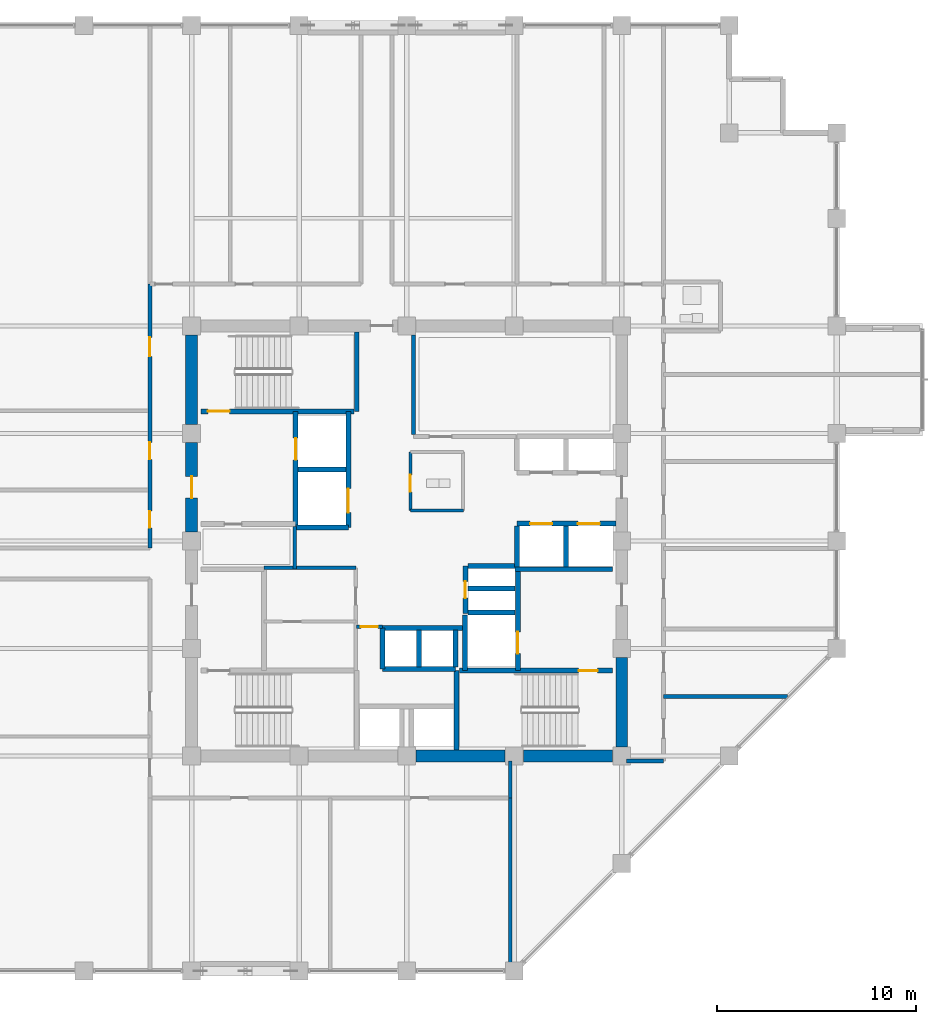
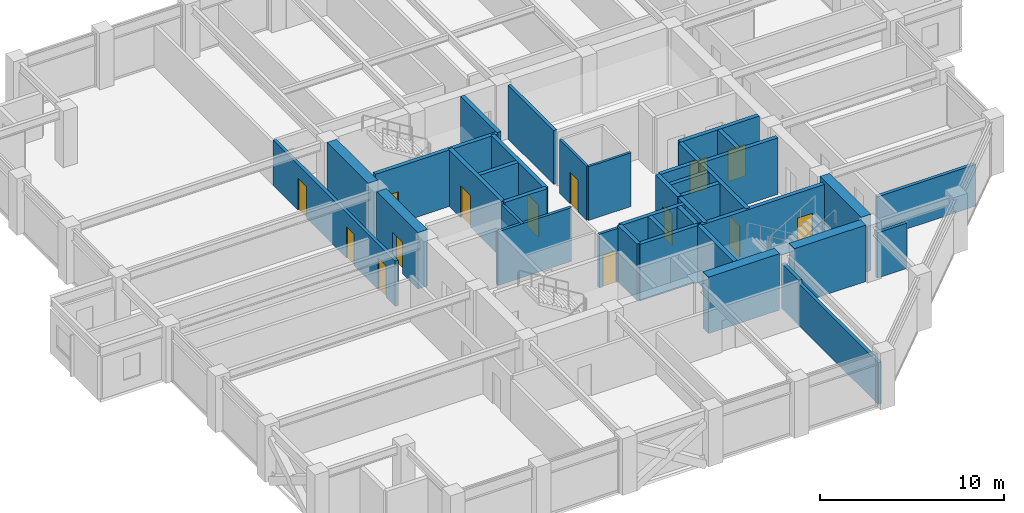
# One storey, part 23 of 28: 39 walls, 14 doors, 14 openings.
"""IFC4 building model written with IfcOpenShell, lengths in metres."""

import ifcopenshell
import ifcopenshell.guid

model = None  # the IFC model being written
_history = None  # IfcOwnerHistory: only IFC2X3 demands one
_inside = {}  # id of a spatial element -> (the spatial element, [elements in it])
_under = {}  # id of a project, library or spatial element -> (it, [spatial elements below it])
_declared = {}  # id of a project -> (the project, [libraries it declares])
_typed = {}  # id of a type object -> (the type object, [elements of that type])
_made_of = {}  # id of a material, layer set ... -> (it, [elements and type objects made of it])


def new_model(schema):
    """Start an empty IFC model of exactly this schema.

    Asked for "IFC4X3", IfcOpenShell would pick the latest addendum, in which some entities
    have other attributes; the version numbers below select the first issue.
    IFC2X3 requires an IfcOwnerHistory on every rooted entity: one is made here for all.
    """
    global model, _history
    if schema == "IFC4X3":
        model = ifcopenshell.file(schema_version=(4, 3, 0, 0))
    else:
        model = ifcopenshell.file(schema=schema)
    _inside.clear()
    _under.clear()
    _declared.clear()
    _typed.clear()
    _made_of.clear()
    _history = None
    if model.schema == "IFC2X3":
        org = make("IfcOrganization", Name="unknown")
        user = make(
            "IfcPersonAndOrganization",
            ThePerson=make("IfcPerson", FamilyName="unknown"),
            TheOrganization=org,
        )
        app = make(
            "IfcApplication",
            ApplicationDeveloper=org,
            Version="unknown",
            ApplicationFullName="unknown",
            ApplicationIdentifier="unknown",
        )
        _history = make(
            "IfcOwnerHistory",
            OwningUser=user,
            OwningApplication=app,
            ChangeAction="ADDED",
            CreationDate=0,
        )
    return model


def make(cls, **values):
    """One entity of the class cls with the attributes given. An attribute that is None is left unset."""
    return model.create_entity(
        cls, **{name: value for name, value in values.items() if value is not None}
    )


def rooted(cls, **values):
    """An entity with a GlobalId (a new one), such as an element, a storey or a relation."""
    return make(cls, GlobalId=ifcopenshell.guid.new(), OwnerHistory=_history, **values)


def si_unit(unit_type, name, prefix=None):
    """IfcSIUnit, for example si_unit("LENGTHUNIT", "METRE", prefix="MILLI")."""
    return make("IfcSIUnit", UnitType=unit_type, Prefix=prefix, Name=name)


def assignment(units):
    """IfcUnitAssignment: the units of a project."""
    return None if units is None else make("IfcUnitAssignment", Units=units)


def point(xyz):
    """IfcCartesianPoint."""
    return None if xyz is None else make("IfcCartesianPoint", Coordinates=xyz)


def direction(xyz):
    """IfcDirection."""
    return None if xyz is None else make("IfcDirection", DirectionRatios=xyz)


def frame(location, z_axis=None, x_axis=None):
    """IfcAxis2Placement3D, a coordinate frame: its origin and axes. An axis left out is left unset."""
    return make(
        "IfcAxis2Placement3D",
        Location=point(location),
        Axis=direction(z_axis),
        RefDirection=direction(x_axis),
    )


def frame_2d(location, x_axis=None):
    """IfcAxis2Placement2D, a coordinate frame in the plane: its origin and x axis."""
    return make(
        "IfcAxis2Placement2D", Location=point(location), RefDirection=direction(x_axis)
    )


def origin():
    """The frame at (0, 0, 0) with its axes left unset."""
    return frame((0.0, 0.0, 0.0))


def place(relative_to, where):
    """IfcLocalPlacement: puts the frame where relative to a parent placement (None: the world)."""
    return make(
        "IfcLocalPlacement", PlacementRelTo=relative_to, RelativePlacement=where
    )


def context(
    kind, dimensions, precision=None, world=None, true_north=None, identifier=None
):
    """IfcGeometricRepresentationContext, for example the 3D "Model" context."""
    return make(
        "IfcGeometricRepresentationContext",
        ContextIdentifier=identifier,
        ContextType=kind,
        CoordinateSpaceDimension=dimensions,
        Precision=precision,
        WorldCoordinateSystem=world,
        TrueNorth=true_north,
    )


def subcontext(parent, identifier, kind, view, scale=None):
    """IfcGeometricRepresentationSubContext, for example "Body" below "Model"."""
    return make(
        "IfcGeometricRepresentationSubContext",
        ContextIdentifier=identifier,
        ContextType=kind,
        ParentContext=parent,
        TargetScale=scale,
        TargetView=view,
    )


def project(units=None, contexts=None):
    """IfcProject with its units and contexts."""
    return rooted(
        "IfcProject",
        Name="project",
        RepresentationContexts=contexts,
        UnitsInContext=assignment(units),
    )


def spatial(cls, under=None, at=None, **own):
    """A site, building, storey or space (cls), placed at a placement, below another one or the project."""
    s = rooted(cls, ObjectPlacement=at, **own)
    if under is not None:
        _under.setdefault(under.id(), (under, []))[1].append(s)
    return s


def profile(cls, at=None, kind="AREA", **sizes):
    """A parametric profile (cls). Its sizes go by their IFC names, for example OverallWidth=200.0."""
    return make(cls, ProfileType=kind, Position=at, **sizes)


def rectangle(**sizes):
    """IfcRectangleProfileDef."""
    return profile("IfcRectangleProfileDef", **sizes)


def extrude(swept, where, along, depth):
    """IfcExtrudedAreaSolid: the profile swept, set in the frame where, extruded along a direction by depth."""
    return make(
        "IfcExtrudedAreaSolid",
        SweptArea=swept,
        Position=where,
        ExtrudedDirection=direction(along),
        Depth=depth,
    )


def shape(context_of_items, identifier, shape_type, items):
    """IfcShapeRepresentation: the items that make up one representation, for example the "Body"."""
    return make(
        "IfcShapeRepresentation",
        ContextOfItems=context_of_items,
        RepresentationIdentifier=identifier,
        RepresentationType=shape_type,
        Items=items,
    )


def material(Name=None, Category=None):
    """IfcMaterial."""
    return make("IfcMaterial", Name=Name, Category=Category)


def layer(
    of_material, thickness, ventilated=None, Name=None, Category=None, Priority=None
):
    """IfcMaterialLayer: one layer of a wall or slab, of a material (None: an air gap)."""
    return make(
        "IfcMaterialLayer",
        Material=of_material,
        LayerThickness=thickness,
        IsVentilated=ventilated,
        Name=Name,
        Category=Category,
        Priority=Priority,
    )


def layer_set(layers, Name=None):
    """IfcMaterialLayerSet."""
    return make("IfcMaterialLayerSet", MaterialLayers=layers, LayerSetName=Name)


def made_of(thing, what):
    """Note that an element or type object is made of a material, layer set ...; save() writes the relation."""
    if what is not None:
        _made_of.setdefault(what.id(), (what, []))[1].append(thing)
    return thing


def type_object(cls, material=None, **own):
    """A type object (cls), such as IfcWallType, which elements share."""
    return made_of(rooted(cls, **own), material)


def element(
    cls,
    number,
    at=None,
    inside=None,
    cuts=None,
    type_object=None,
    material=None,
    context=None,
    identifier="Body",
    shape_type=None,
    held_by="IfcProductDefinitionShape",
    body=None,
    shapes=None,
    **own,
):
    """One element of the class cls, such as IfcWall. Its Tag is "e" and its number.

    at: its placement. inside: the storey or other place that contains it. cuts: it is an
    opening in that element (IfcRelVoidsElement). A single representation is given by context,
    identifier, shape_type and body (its items); several are given by shapes. held_by: the class
    of the entity that holds the representations. save() writes the other relations.
    """
    e = rooted(cls, Tag="e%d" % number, ObjectPlacement=at, **own)
    if body is not None:
        shapes = [shape(context, identifier, shape_type, body)]
    if shapes is not None:
        e.Representation = make(held_by, Representations=shapes)
    if inside is not None:
        _inside.setdefault(inside.id(), (inside, []))[1].append(e)
    if cuts is not None:
        rooted(
            "IfcRelVoidsElement", RelatingBuildingElement=cuts, RelatedOpeningElement=e
        )
    if type_object is not None:
        _typed.setdefault(type_object.id(), (type_object, []))[1].append(e)
    return made_of(e, material)


def fill(opening, filler):
    """IfcRelFillsElement: the door or window that sits in an opening."""
    return rooted(
        "IfcRelFillsElement",
        RelatingOpeningElement=opening,
        RelatedBuildingElement=filler,
    )


def aggregate(whole, parts):
    """IfcRelAggregates: a whole, such as a stair, and the parts it consists of."""
    return rooted("IfcRelAggregates", RelatingObject=whole, RelatedObjects=parts)


def save(model, path):
    """Write the relations noted so far, then the file.

    IfcRelAggregates (storeys below a building ...), IfcRelContainedInSpatialStructure (elements
    in a storey), IfcRelDefinesByType, IfcRelAssociatesMaterial and IfcRelDeclares: one each for
    every whole, place, type object, material and project.
    """
    for whole, parts in _under.values():
        aggregate(whole, parts)
    for where, things in _inside.values():
        rooted(
            "IfcRelContainedInSpatialStructure",
            RelatedElements=things,
            RelatingStructure=where,
        )
    for kind, things in _typed.values():
        rooted("IfcRelDefinesByType", RelatedObjects=things, RelatingType=kind)
    for what, things in _made_of.values():
        rooted("IfcRelAssociatesMaterial", RelatedObjects=things, RelatingMaterial=what)
    for by, libraries in _declared.values():
        rooted("IfcRelDeclares", RelatingContext=by, RelatedDefinitions=libraries)
    model.write(path)


model = new_model("IFC4")

# Units and contexts
model_context = context("Model", 3, precision=1e-05, world=origin(), true_north=direction((0.0, 1.0)))
body_context = subcontext(model_context, "Body", "Model", "MODEL_VIEW")
ifc_project = project(units=[si_unit("LENGTHUNIT", "METRE"), si_unit("AREAUNIT", "SQUARE_METRE"), si_unit("VOLUMEUNIT", "CUBIC_METRE"), si_unit("PLANEANGLEUNIT", "RADIAN"), si_unit("MASSUNIT", "GRAM", prefix="KILO")], contexts=[model_context])

# Site, building, storey
site_placement = place(None, origin())
site = spatial("IfcSite", under=ifc_project, at=site_placement, CompositionType="ELEMENT")
building_placement = place(site_placement, origin())
building = spatial("IfcBuilding", under=site, at=building_placement, Name="Surkhivell Harbour Commons", CompositionType="ELEMENT")
storey_placement = place(building_placement, frame((0.0, 0.0, 178.5)))
storey = spatial("IfcBuildingStorey", under=building, at=storey_placement, Name="L46", CompositionType="ELEMENT", Elevation=178.5)

# Walls
ifc_material_1 = material(Name="Concrete C60/75", Category="concrete")
ifc_layer_1 = layer(ifc_material_1, 0.60009765625)
ifc_layer_set_1 = layer_set([ifc_layer_1], Name="Concrete C60/75")
wall_type_1 = type_object("IfcWallType", Name="WAL-CORE-600", PredefinedType="SHEAR", material=ifc_layer_set_1)
for number, where, z_axis, x_axis, name in (
    (1, (10.800048828125, -10.340087890625, 0.0), (0.0, 0.0, 1.0), (0.0, 1.0, 0.0), "L46 Core Shear Wall East 1"),
    (2, (0.4599609375, -10.800048828125, 0.0), (0.0, 0.0, 1.0), (1.0, 0.0, 0.0), "L46 Core Shear Wall South 3"),
):
    element("IfcWall", number, at=place(storey_placement, frame(where, z_axis=z_axis, x_axis=x_axis)), inside=storey, type_object=wall_type_1, Name=name, PredefinedType="SHEAR", context=body_context, shape_type="SweptSolid", body=[
        extrude(rectangle(XDim=4.47998046875, YDim=0.60009765625, at=frame_2d((2.239990234375, 0.0))), origin(), (0.0, 0.0, 1.0), 3.75),
    ])

# Wall, opening, door
wall_1_placement = place(storey_placement, frame((-10.800048828125, 0.4599609375, 0.0), z_axis=(0.0, 0.0, 1.0), x_axis=(0.0, 1.0, 0.0)))
wall_1 = element("IfcWall", 3, at=wall_1_placement, inside=storey, type_object=wall_type_1, Name="L46 Core Shear Wall West 3", PredefinedType="SHEAR", context=body_context, shape_type="SweptSolid", body=[
    extrude(rectangle(XDim=4.47998046875, YDim=0.60009765625, at=frame_2d((2.239990234375, 0.0))), origin(), (0.0, 0.0, 1.0), 3.75),
])
opening_1_placement = place(wall_1_placement, frame((1.68994140625, 0.0, 0.0)))
opening_1 = element("IfcOpeningElement", 4, at=opening_1_placement, cuts=wall_1, Name="Opening ID-1", PredefinedType="OPENING", context=body_context, shape_type="SweptSolid", body=[
    extrude(rectangle(XDim=1.10009765625, YDim=2.10009765625, at=frame_2d((0.550048828125, 1.050048828125))), frame((0.0, 0.31005859375, 0.0), z_axis=(0.0, -1.0, 0.0), x_axis=(1.0, 0.0, 0.0)), (0.0, 0.0, 1.0), 0.6201171875),
])
ifc_material_2 = material(Name="Hardwood-veneered fire-rated door leaf", Category="wood")
door_type_1 = type_object("IfcDoorType", Name="DOR-FD120-1100", OperationType="NOTDEFINED", PredefinedType="DOOR", material=ifc_material_2)
door_1_placement = place(opening_1_placement, origin())
door_1 = element("IfcDoor", 5, at=door_1_placement, inside=storey, type_object=door_type_1, Name="L46 Firefighting Lobby 1 Corridor Door", OperationType="SINGLE_SWING_LEFT", OverallHeight=2.10009765625, OverallWidth=1.10009765625, PredefinedType="DOOR", context=body_context, shape_type="SweptSolid", body=[
    extrude(rectangle(XDim=1.10009765625, YDim=2.10009765625, at=frame_2d((0.550048828125, 1.050048828125))), frame((0.0, 0.02490234375, 0.0), z_axis=(0.0, -1.0, 0.0), x_axis=(1.0, 0.0, 0.0)), (0.0, 0.0, 1.0), 0.050048828125),
])
fill(opening_1, door_1)

# Walls
for number, where, z_axis, x_axis, name in (
    (6, (5.860107421875, -10.800048828125, 0.0), (0.0, 0.0, 1.0), (1.0, 0.0, 0.0), "L46 Core Shear Wall South 4"),
    (7, (-10.800048828125, 5.860107421875, 0.0), (0.0, 0.0, 1.0), (0.0, 1.0, 0.0), "L46 Core Shear Wall West 4"),
):
    element("IfcWall", number, at=place(storey_placement, frame(where, z_axis=z_axis, x_axis=x_axis)), inside=storey, type_object=wall_type_1, Name=name, PredefinedType="SHEAR", context=body_context, shape_type="SweptSolid", body=[
        extrude(rectangle(XDim=4.47998046875, YDim=0.60009765625, at=frame_2d((2.239990234375, 0.0))), origin(), (0.0, 0.0, 1.0), 3.75),
    ])
ifc_material_3 = material(Name="Twin-stud acoustic fireboard partition", Category="other")
ifc_layer_2 = layer(ifc_material_3, 0.14990234375)
ifc_layer_set_2 = layer_set([ifc_layer_2], Name="Twin-stud acoustic fireboard partition")
wall_type_2 = type_object("IfcWallType", Name="WAL-INT-150", PredefinedType="PARTITIONING", material=ifc_layer_set_2)
wall_2_placement = place(storey_placement, frame((0.179931640625, 1.52001953125, 0.0), z_axis=(0.0, 0.0, 1.0), x_axis=(1.0, 0.0, 0.0)))
element("IfcWall", 8, at=wall_2_placement, inside=storey, type_object=wall_type_2, Name="L46 Core Accessible WC South Wall", PredefinedType="PARTITIONING", context=body_context, shape_type="SweptSolid", body=[
    extrude(rectangle(XDim=2.670166015625, YDim=0.14990234375, at=frame_2d((1.3349609375, 0.0))), origin(), (0.0, 0.0, 1.0), 3.570068359375),
])

# Wall, opening, door
wall_3_placement = place(storey_placement, frame((0.179931640625, 1.52001953125, 0.0), z_axis=(0.0, 0.0, 1.0), x_axis=(0.0, 1.0, 0.0)))
wall_3 = element("IfcWall", 9, at=wall_3_placement, inside=storey, type_object=wall_type_2, Name="L46 Core Accessible WC West Wall", PredefinedType="PARTITIONING", context=body_context, shape_type="SweptSolid", body=[
    extrude(rectangle(XDim=2.9599609375, YDim=0.14990234375, at=frame_2d((1.47998046875, 0.0))), origin(), (0.0, 0.0, 1.0), 3.570068359375),
])
opening_2_placement = place(wall_3_placement, frame((0.949951171875, 0.0, 0.0)))
opening_2 = element("IfcOpeningElement", 10, at=opening_2_placement, cuts=wall_3, Name="Opening ID-6", PredefinedType="OPENING", context=body_context, shape_type="SweptSolid", body=[
    extrude(rectangle(XDim=0.85009765625, YDim=2.10009765625, at=frame_2d((0.425048828125, 1.050048828125))), frame((0.0, 0.0849609375, 0.0), z_axis=(0.0, -1.0, 0.0), x_axis=(1.0, 0.0, 0.0)), (0.0, 0.0, 1.0), 0.169921875),
])
door_type_2 = type_object("IfcDoorType", Name="DOR-FD30-850", OperationType="NOTDEFINED", PredefinedType="DOOR", material=ifc_material_2)
door_2_placement = place(opening_2_placement, origin())
door_2 = element("IfcDoor", 11, at=door_2_placement, inside=storey, type_object=door_type_2, Name="L46 Floor Accessible WC Door", OperationType="SINGLE_SWING_RIGHT", OverallHeight=2.10009765625, OverallWidth=0.85009765625, PredefinedType="DOOR", context=body_context, shape_type="SweptSolid", body=[
    extrude(rectangle(XDim=0.85009765625, YDim=2.10009765625, at=frame_2d((0.425048828125, 1.050048828125))), frame((0.0, 0.02490234375, 0.0), z_axis=(0.0, -1.0, 0.0), x_axis=(1.0, 0.0, 0.0)), (0.0, 0.0, 1.0), 0.050048828125),
])
fill(opening_2, door_2)

# Walls
ifc_material_4 = material(Name="High-density acoustic blockwork fire partition", Category="masonry")
ifc_layer_3 = layer(ifc_material_4, 0.175048828125)
ifc_layer_set_3 = layer_set([ifc_layer_3], Name="High-density acoustic blockwork fire partition")
wall_type_3 = type_object("IfcWallType", Name="WAL-INT-175", PredefinedType="PARTITIONING", material=ifc_layer_set_3)
wall_4_placement = place(storey_placement, frame((-7.179931640625, -1.35009765625, 0.0), z_axis=(0.0, 0.0, 1.0), x_axis=(1.0, 0.0, 0.0)))
element("IfcWall", 12, at=wall_4_placement, inside=storey, type_object=wall_type_3, Name="L46 Core Service Bay North Wall", PredefinedType="PARTITIONING", context=body_context, shape_type="SweptSolid", body=[
    extrude(rectangle(XDim=4.6298828125, YDim=0.175048828125, at=frame_2d((2.31494140625, 0.0))), origin(), (0.0, 0.0, 1.0), 3.570068359375),
])
wall_5_placement = place(storey_placement, frame((-5.6201171875, -1.419921875, 0.0), z_axis=(0.0, 0.0, 1.0), x_axis=(0.0, 1.0, 0.0)))
element("IfcWall", 13, at=wall_5_placement, inside=storey, type_object=wall_type_3, Name="L46 West Core Bay East Wall", PredefinedType="PARTITIONING", context=body_context, shape_type="SweptSolid", body=[
    extrude(rectangle(XDim=2.139892578125, YDim=0.175048828125, at=frame_2d((1.06982421875, 0.0))), origin(), (0.0, 0.0, 1.0), 3.570068359375),
])

# Wall, opening, door
wall_6_placement = place(storey_placement, frame((-2.52001953125, -4.320068359375, 0.0), z_axis=(0.0, 0.0, 1.0), x_axis=(1.0, 0.0, 0.0)))
wall_6 = element("IfcWall", 14, at=wall_6_placement, inside=storey, type_object=wall_type_3, Name="L46 High-Rise Lobby North Portal Wall", PredefinedType="PARTITIONING", context=body_context, shape_type="SweptSolid", body=[
    extrude(rectangle(XDim=1.300048828125, YDim=0.175048828125, at=frame_2d((0.64990234375, 0.0))), origin(), (0.0, 0.0, 1.0), 3.570068359375),
])
opening_3_placement = place(wall_6_placement, frame((0.219970703125, 0.0, 0.0)))
opening_3 = element("IfcOpeningElement", 15, at=opening_3_placement, cuts=wall_6, Name="Opening ID-6", PredefinedType="OPENING", context=body_context, shape_type="SweptSolid", body=[
    extrude(rectangle(XDim=0.85009765625, YDim=2.10009765625, at=frame_2d((0.425048828125, 1.050048828125))), frame((0.0, 0.097412109375, 0.0), z_axis=(0.0, -1.0, 0.0), x_axis=(1.0, 0.0, 0.0)), (0.0, 0.0, 1.0), 0.195068359375),
])
door_3_placement = place(opening_3_placement, origin())
door_3 = element("IfcDoor", 16, at=door_3_placement, inside=storey, type_object=door_type_2, Name="L46 High-Rise Lift Lobby North Door", OperationType="SINGLE_SWING_LEFT", OverallHeight=2.10009765625, OverallWidth=0.85009765625, PredefinedType="DOOR", context=body_context, shape_type="SweptSolid", body=[
    extrude(rectangle(XDim=0.85009765625, YDim=2.10009765625, at=frame_2d((0.425048828125, 1.050048828125))), frame((0.0, 0.02490234375, 0.0), z_axis=(0.0, -1.0, 0.0), x_axis=(1.0, 0.0, 0.0)), (0.0, 0.0, 1.0), 0.050048828125),
])
fill(opening_3, door_3)

# Walls
ifc_material_5 = material(Name="Autoclaved aerated concrete blockwork and fire plaster", Category="masonry")
ifc_layer_4 = layer(ifc_material_5, 0.199951171875)
ifc_layer_set_4 = layer_set([ifc_layer_4], Name="Autoclaved aerated concrete blockwork and fire plaster")
wall_type_4 = type_object("IfcWallType", Name="WAL-INT-200", PredefinedType="PARTITIONING", material=ifc_layer_set_4)
wall_7_placement = place(storey_placement, frame((0.35009765625, 5.360107421875, 0.0), z_axis=(0.0, 0.0, 1.0), x_axis=(0.0, 1.0, 0.0)))
element("IfcWall", 17, at=wall_7_placement, inside=storey, type_object=wall_type_4, Name="L46 Reclaimed Core North Bay West Wall", PredefinedType="PARTITIONING", context=body_context, shape_type="SweptSolid", body=[
    extrude(rectangle(XDim=4.97998046875, YDim=0.199951171875, at=frame_2d((2.489990234375, 0.0))), origin(), (0.0, 0.0, 1.0), 3.570068359375),
])
wall_8_placement = place(storey_placement, frame((5.199951171875, -21.5400390625, 0.0), z_axis=(0.0, 0.0, 1.0), x_axis=(0.0, 1.0, 0.0)))
element("IfcWall", 18, at=wall_8_placement, inside=storey, type_object=wall_type_4, Name="L46 South-East Corner Wall", PredefinedType="PARTITIONING", context=body_context, shape_type="SweptSolid", body=[
    extrude(rectangle(XDim=8.64013671875, YDim=0.199951171875, at=frame_2d((4.320068359375, 0.0))), origin(), (0.0, 0.0, 1.0), 2.780029296875),
])
for number, where, z_axis, x_axis, name in (
    (19, (11.0400390625, -11.0400390625, 0.0), (0.0, 0.0, 1.0), (1.0, 0.0, 0.0), "L46 Corridor East South Closure Wall"),
    (20, (5.199951171875, -12.89990234375, 0.0), (0.0, 0.0, 1.0), (0.0, 1.0, 0.0), "L46 Corridor South End Wall"),
):
    element("IfcWall", number, at=place(storey_placement, frame(where, z_axis=z_axis, x_axis=x_axis)), inside=storey, type_object=wall_type_4, Name=name, PredefinedType="PARTITIONING", context=body_context, shape_type="SweptSolid", body=[
        extrude(rectangle(XDim=1.85986328125, YDim=0.199951171875, at=frame_2d((0.929931640625, 0.0))), origin(), (0.0, 0.0, 1.0), 3.006103515625),
    ])

# Wall, openings, doors
wall_9_placement = place(storey_placement, frame((-12.89990234375, -0.35009765625, 0.0), z_axis=(0.0, 0.0, 1.0), x_axis=(0.0, 1.0, 0.0)))
wall_9 = element("IfcWall", 21, at=wall_9_placement, inside=storey, type_object=wall_type_4, Name="L46 Corridor West-Upper Wall", PredefinedType="PARTITIONING", context=body_context, shape_type="SweptSolid", body=[
    extrude(rectangle(XDim=13.25, YDim=0.199951171875, at=frame_2d((6.625, 0.0))), origin(), (0.0, 0.0, 1.0), 3.006103515625),
])
opening_4_placement = place(wall_9_placement, frame((1.0048828125, 0.0, 0.0)))
opening_4 = element("IfcOpeningElement", 22, at=opening_4_placement, cuts=wall_9, Name="Opening ID-6", PredefinedType="OPENING", context=body_context, shape_type="SweptSolid", body=[
    extrude(rectangle(XDim=0.85009765625, YDim=2.10009765625, at=frame_2d((0.425048828125, 1.050048828125))), frame((0.0, 0.10986328125, 0.0), z_axis=(0.0, -1.0, 0.0), x_axis=(1.0, 0.0, 0.0)), (0.0, 0.0, 1.0), 0.219970703125),
])
opening_5_placement = place(wall_9_placement, frame((4.449951171875, 0.0, 0.0)))
opening_5 = element("IfcOpeningElement", 23, at=opening_5_placement, cuts=wall_9, Name="Opening ID-6", PredefinedType="OPENING", context=body_context, shape_type="SweptSolid", body=[
    extrude(rectangle(XDim=0.85009765625, YDim=2.10009765625, at=frame_2d((0.425048828125, 1.050048828125))), frame((0.0, 0.10986328125, 0.0), z_axis=(0.0, -1.0, 0.0), x_axis=(1.0, 0.0, 0.0)), (0.0, 0.0, 1.0), 0.219970703125),
])
opening_6_placement = place(wall_9_placement, frame((9.6201171875, 0.0, 0.0)))
opening_6 = element("IfcOpeningElement", 24, at=opening_6_placement, cuts=wall_9, Name="Opening ID-4", PredefinedType="OPENING", context=body_context, shape_type="SweptSolid", body=[
    extrude(rectangle(XDim=0.949951171875, YDim=2.10009765625, at=frame_2d((0.47509765625, 1.050048828125))), frame((0.0, 0.10986328125, 0.0), z_axis=(0.0, -1.0, 0.0), x_axis=(1.0, 0.0, 0.0)), (0.0, 0.0, 1.0), 0.219970703125),
])
door_4_placement = place(opening_4_placement, origin())
door_4 = element("IfcDoor", 25, at=door_4_placement, inside=storey, type_object=door_type_2, Name="L46 Co-Working Study Office 1 North-West Door", OperationType="SINGLE_SWING_RIGHT", OverallHeight=2.10009765625, OverallWidth=0.85009765625, PredefinedType="DOOR", context=body_context, shape_type="SweptSolid", body=[
    extrude(rectangle(XDim=0.85009765625, YDim=2.10009765625, at=frame_2d((0.425048828125, 1.050048828125))), frame((0.0, 0.02490234375, 0.0), z_axis=(0.0, -1.0, 0.0), x_axis=(1.0, 0.0, 0.0)), (0.0, 0.0, 1.0), 0.050048828125),
])
fill(opening_4, door_4)
door_5_placement = place(opening_5_placement, origin())
door_5 = element("IfcDoor", 26, at=door_5_placement, inside=storey, type_object=door_type_2, Name="L46 Co-Working Study Office 2 North-West Door", OperationType="SINGLE_SWING_LEFT", OverallHeight=2.10009765625, OverallWidth=0.85009765625, PredefinedType="DOOR", context=body_context, shape_type="SweptSolid", body=[
    extrude(rectangle(XDim=0.85009765625, YDim=2.10009765625, at=frame_2d((0.425048828125, 1.050048828125))), frame((0.0, 0.02490234375, 0.0), z_axis=(0.0, -1.0, 0.0), x_axis=(1.0, 0.0, 0.0)), (0.0, 0.0, 1.0), 0.050048828125),
])
fill(opening_5, door_5)
door_type_3 = type_object("IfcDoorType", Name="DOR-FD60-950", OperationType="NOTDEFINED", PredefinedType="DOOR", material=ifc_material_2)
door_6_placement = place(opening_6_placement, origin())
door_6 = element("IfcDoor", 27, at=door_6_placement, inside=storey, type_object=door_type_3, Name="L46 Co-Working Study Office 3 North-West Door", OperationType="SINGLE_SWING_RIGHT", OverallHeight=2.10009765625, OverallWidth=0.949951171875, PredefinedType="DOOR", context=body_context, shape_type="SweptSolid", body=[
    extrude(rectangle(XDim=0.949951171875, YDim=2.10009765625, at=frame_2d((0.47509765625, 1.050048828125))), frame((0.0, 0.02490234375, 0.0), z_axis=(0.0, -1.0, 0.0), x_axis=(1.0, 0.0, 0.0)), (0.0, 0.0, 1.0), 0.050048828125),
])
fill(opening_6, door_6)

# Wall
wall_10_placement = place(storey_placement, frame((12.89990234375, -7.800048828125, 0.0), z_axis=(0.0, 0.0, 1.0), x_axis=(1.0, 0.0, 0.0)))
element("IfcWall", 28, at=wall_10_placement, inside=storey, type_object=wall_type_4, Name="L46 East Partition PBOT", PredefinedType="PARTITIONING", context=body_context, shape_type="SweptSolid", body=[
    extrude(rectangle(XDim=6.21533203125, YDim=0.199951171875, at=frame_2d((3.107666015625, 0.0))), origin(), (0.0, 0.0, 1.0), 2.780029296875),
])

# Wall, opening, door
ifc_material_6 = material(Name="Concrete C50/60", Category="concrete")
ifc_layer_5 = layer(ifc_material_6, 0.25)
ifc_layer_set_5 = layer_set([ifc_layer_5], Name="Concrete C50/60")
wall_type_5 = type_object("IfcWallType", Name="WAL-SHAFT-250", PredefinedType="SHEAR", material=ifc_layer_set_5)
wall_11_placement = place(storey_placement, frame((-5.580078125, 0.719970703125, 0.0), z_axis=(0.0, 0.0, 1.0), x_axis=(0.0, 1.0, 0.0)))
wall_11 = element("IfcWall", 29, at=wall_11_placement, inside=storey, type_object=wall_type_5, Name="L46 Firefighting Lobby 1 East Shaft Wall", PredefinedType="SHEAR", context=body_context, shape_type="SweptSolid", body=[
    extrude(rectangle(XDim=5.7900390625, YDim=0.25, at=frame_2d((2.89501953125, 0.0))), origin(), (0.0, 0.0, 1.0), 3.75),
])
opening_7_placement = place(wall_11_placement, frame((3.35009765625, 0.0, 0.0)))
opening_7 = element("IfcOpeningElement", 30, at=opening_7_placement, cuts=wall_11, Name="Opening LD-1", PredefinedType="OPENING", context=body_context, shape_type="SweptSolid", body=[
    extrude(rectangle(XDim=1.10009765625, YDim=2.10009765625, at=frame_2d((0.550048828125, 1.050048828125))), frame((0.0, 0.135009765625, 0.0), z_axis=(0.0, -1.0, 0.0), x_axis=(1.0, 0.0, 0.0)), (0.0, 0.0, 1.0), 0.27001953125),
])
ifc_material_7 = material(Name="Brushed stainless steel S355", Category="steel")
door_type_4 = type_object("IfcDoorType", Name="DOR-LD-1100", OperationType="SLIDING_TO_LEFT", PredefinedType="DOOR", material=ifc_material_7)
door_7_placement = place(opening_7_placement, origin())
door_7 = element("IfcDoor", 31, at=door_7_placement, inside=storey, type_object=door_type_4, Name="L46 Lift Landing Door LD-FFL1", OperationType="SLIDING_TO_LEFT", OverallHeight=2.10009765625, OverallWidth=1.10009765625, PredefinedType="DOOR", context=body_context, shape_type="SweptSolid", body=[
    extrude(rectangle(XDim=1.10009765625, YDim=2.10009765625, at=frame_2d((0.550048828125, 1.050048828125))), frame((0.0, 0.02490234375, 0.0), z_axis=(0.0, -1.0, 0.0), x_axis=(1.0, 0.0, 0.0)), (0.0, 0.0, 1.0), 0.050048828125),
])
fill(opening_7, door_7)

# Walls
wall_12_placement = place(storey_placement, frame((2.929931640625, -6.510009765625, 0.0), z_axis=(0.0, 0.0, 1.0), x_axis=(0.0, 1.0, 0.0)))
element("IfcWall", 32, at=wall_12_placement, inside=storey, type_object=wall_type_5, Name="L46 FFL2 West Shaft Wall", PredefinedType="SHEAR", context=body_context, shape_type="SweptSolid", body=[
    extrude(rectangle(XDim=2.7900390625, YDim=0.25, at=frame_2d((1.39501953125, 0.0))), origin(), (0.0, 0.0, 1.0), 3.75),
])
wall_13_placement = place(storey_placement, frame((5.43994140625, -1.419921875, 0.0), z_axis=(0.0, 0.0, 1.0), x_axis=(1.0, 0.0, 0.0)))
element("IfcWall", 33, at=wall_13_placement, inside=storey, type_object=wall_type_5, Name="L46 Firefighting Lobby 2 North Wall", PredefinedType="SHEAR", context=body_context, shape_type="SweptSolid", body=[
    extrude(rectangle(XDim=4.900146484375, YDim=0.25, at=frame_2d((2.4501953125, 0.0))), origin(), (0.0, 0.0, 1.0), 3.75),
])
wall_14_placement = place(storey_placement, frame((3.080078125, -3.60009765625, 0.0), z_axis=(0.0, 0.0, 1.0), x_axis=(1.0, 0.0, 0.0)))
element("IfcWall", 34, at=wall_14_placement, inside=storey, type_object=wall_type_5, Name="L46 FFL2 North Shaft Wall", PredefinedType="SHEAR", context=body_context, shape_type="SweptSolid", body=[
    extrude(rectangle(XDim=2.369873046875, YDim=0.25, at=frame_2d((1.18505859375, 0.0))), origin(), (0.0, 0.0, 1.0), 3.75),
])

# Wall, opening, door
wall_15_placement = place(storey_placement, frame((5.580078125, -6.510009765625, 0.0), z_axis=(0.0, 0.0, 1.0), x_axis=(0.0, 1.0, 0.0)))
wall_15 = element("IfcWall", 35, at=wall_15_placement, inside=storey, type_object=wall_type_5, Name="L46 Firefighting Lobby 2 West Shaft Wall", PredefinedType="SHEAR", context=body_context, shape_type="SweptSolid", body=[
    extrude(rectangle(XDim=5.090087890625, YDim=0.25, at=frame_2d((2.544921875, 0.0))), origin(), (0.0, 0.0, 1.0), 3.75),
])
opening_8_placement = place(wall_15_placement, frame((0.85009765625, 0.0, 0.0)))
opening_8 = element("IfcOpeningElement", 36, at=opening_8_placement, cuts=wall_15, Name="Opening LD-1", PredefinedType="OPENING", context=body_context, shape_type="SweptSolid", body=[
    extrude(rectangle(XDim=1.10009765625, YDim=2.10009765625, at=frame_2d((0.550048828125, 1.050048828125))), frame((0.0, 0.135009765625, 0.0), z_axis=(0.0, -1.0, 0.0), x_axis=(1.0, 0.0, 0.0)), (0.0, 0.0, 1.0), 0.27001953125),
])
door_8_placement = place(opening_8_placement, origin())
door_8 = element("IfcDoor", 37, at=door_8_placement, inside=storey, type_object=door_type_4, Name="L46 Lift Landing Door LD-FFL2", OperationType="SLIDING_TO_RIGHT", OverallHeight=2.10009765625, OverallWidth=1.10009765625, PredefinedType="DOOR", context=body_context, shape_type="SweptSolid", body=[
    extrude(rectangle(XDim=1.10009765625, YDim=2.10009765625, at=frame_2d((0.550048828125, 1.050048828125))), frame((0.0, 0.02490234375, 0.0), z_axis=(0.0, -1.0, 0.0), x_axis=(1.0, 0.0, 0.0)), (0.0, 0.0, 1.0), 0.050048828125),
])
fill(opening_8, door_8)

# Walls
for number, where, z_axis, x_axis, name in (
    (38, (0.6201171875, -6.340087890625, 0.0), (0.0, 0.0, 1.0), (0.0, 1.0, 0.0), "L46 High-Rise Side Wall N"),
    (39, (2.449951171875, -6.340087890625, 0.0), (0.0, 0.0, 1.0), (0.0, 1.0, 0.0), "L46 High-Rise Side Wall N"),
):
    element("IfcWall", number, at=place(storey_placement, frame(where, z_axis=z_axis, x_axis=x_axis)), inside=storey, type_object=wall_type_5, Name=name, PredefinedType="SHEAR", context=body_context, shape_type="SweptSolid", body=[
        extrude(rectangle(XDim=1.880126953125, YDim=0.25, at=frame_2d((0.93994140625, 0.0))), origin(), (0.0, 0.0, 1.0), 3.75),
    ])
wall_16_placement = place(storey_placement, frame((-1.219970703125, -6.43994140625, 0.0), z_axis=(0.0, 0.0, 1.0), x_axis=(0.0, 1.0, 0.0)))
element("IfcWall", 40, at=wall_16_placement, inside=storey, type_object=wall_type_5, Name="L46 High-Rise Passage East Shaft Wall", PredefinedType="SHEAR", context=body_context, shape_type="SweptSolid", body=[
    extrude(rectangle(XDim=2.079833984375, YDim=0.25, at=frame_2d((1.0400390625, 0.0))), origin(), (0.0, 0.0, 1.0), 3.75),
])
wall_17_placement = place(storey_placement, frame((-1.219970703125, -6.43994140625, 0.0), z_axis=(0.0, 0.0, 1.0), x_axis=(1.0, 0.0, 0.0)))
element("IfcWall", 41, at=wall_17_placement, inside=storey, type_object=wall_type_5, Name="L46 High-Rise North Front Shaft Wall", PredefinedType="SHEAR", context=body_context, shape_type="SweptSolid", body=[
    extrude(rectangle(XDim=3.669921875, YDim=0.25, at=frame_2d((1.8349609375, 0.0))), origin(), (0.0, 0.0, 1.0), 3.75),
])
wall_18_placement = place(storey_placement, frame((-1.219970703125, -4.360107421875, 0.0), z_axis=(0.0, 0.0, 1.0), x_axis=(1.0, 0.0, 0.0)))
element("IfcWall", 42, at=wall_18_placement, inside=storey, type_object=wall_type_5, Name="L46 High-Rise North Back Shaft Wall", PredefinedType="SHEAR", context=body_context, shape_type="SweptSolid", body=[
    extrude(rectangle(XDim=4.030029296875, YDim=0.25, at=frame_2d((2.01513671875, 0.0))), origin(), (0.0, 0.0, 1.0), 3.75),
])
for number, where, z_axis, x_axis, name in (
    (43, (5.550048828125, -1.300048828125, 0.0), (0.0, 0.0, 1.0), (0.0, 1.0, 0.0), "L46 Mid-Rise Shaft Side Wall S"),
    (44, (8.0, -1.300048828125, 0.0), (0.0, 0.0, 1.0), (0.0, 1.0, 0.0), "L46 Mid-Rise Shaft Side Wall S"),
):
    element("IfcWall", number, at=place(storey_placement, frame(where, z_axis=z_axis, x_axis=x_axis)), inside=storey, type_object=wall_type_5, Name=name, PredefinedType="SHEAR", context=body_context, shape_type="SweptSolid", body=[
        extrude(rectangle(XDim=2.0400390625, YDim=0.25, at=frame_2d((1.02001953125, 0.0))), origin(), (0.0, 0.0, 1.0), 3.75),
    ])

# Wall, openings, doors
wall_19_placement = place(storey_placement, frame((5.550048828125, 0.8701171875, 0.0), z_axis=(0.0, 0.0, 1.0), x_axis=(1.0, 0.0, 0.0)))
wall_19 = element("IfcWall", 45, at=wall_19_placement, inside=storey, type_object=wall_type_5, Name="L46 Mid-Rise South Front Shaft Wall", PredefinedType="SHEAR", context=body_context, shape_type="SweptSolid", body=[
    extrude(rectangle(XDim=4.949951171875, YDim=0.25, at=frame_2d((2.47509765625, 0.0))), origin(), (0.0, 0.0, 1.0), 3.75),
])
opening_9_placement = place(wall_19_placement, frame((0.64990234375, 0.0, 0.0)))
opening_9 = element("IfcOpeningElement", 46, at=opening_9_placement, cuts=wall_19, Name="Opening LD-1", PredefinedType="OPENING", context=body_context, shape_type="SweptSolid", body=[
    extrude(rectangle(XDim=1.10009765625, YDim=2.10009765625, at=frame_2d((0.550048828125, 1.050048828125))), frame((0.0, 0.135009765625, 0.0), z_axis=(0.0, -1.0, 0.0), x_axis=(1.0, 0.0, 0.0)), (0.0, 0.0, 1.0), 0.27001953125),
])
opening_10_placement = place(wall_19_placement, frame((3.050048828125, 0.0, 0.0)))
opening_10 = element("IfcOpeningElement", 47, at=opening_10_placement, cuts=wall_19, Name="Opening LD-1", PredefinedType="OPENING", context=body_context, shape_type="SweptSolid", body=[
    extrude(rectangle(XDim=1.10009765625, YDim=2.10009765625, at=frame_2d((0.550048828125, 1.050048828125))), frame((0.0, 0.135009765625, 0.0), z_axis=(0.0, -1.0, 0.0), x_axis=(1.0, 0.0, 0.0)), (0.0, 0.0, 1.0), 0.27001953125),
])
door_9_placement = place(opening_9_placement, origin())
door_9 = element("IfcDoor", 48, at=door_9_placement, inside=storey, type_object=door_type_4, Name="L46 Lift Landing Door LD-PM3", OperationType="SLIDING_TO_RIGHT", OverallHeight=2.10009765625, OverallWidth=1.10009765625, PredefinedType="DOOR", context=body_context, shape_type="SweptSolid", body=[
    extrude(rectangle(XDim=1.10009765625, YDim=2.10009765625, at=frame_2d((0.550048828125, 1.050048828125))), frame((0.0, 0.02490234375, 0.0), z_axis=(0.0, -1.0, 0.0), x_axis=(1.0, 0.0, 0.0)), (0.0, 0.0, 1.0), 0.050048828125),
])
fill(opening_9, door_9)
door_10_placement = place(opening_10_placement, origin())
door_10 = element("IfcDoor", 49, at=door_10_placement, inside=storey, type_object=door_type_4, Name="L46 Lift Landing Door LD-PM4", OperationType="SLIDING_TO_RIGHT", OverallHeight=2.10009765625, OverallWidth=1.10009765625, PredefinedType="DOOR", context=body_context, shape_type="SweptSolid", body=[
    extrude(rectangle(XDim=1.10009765625, YDim=2.10009765625, at=frame_2d((0.550048828125, 1.050048828125))), frame((0.0, 0.02490234375, 0.0), z_axis=(0.0, -1.0, 0.0), x_axis=(1.0, 0.0, 0.0)), (0.0, 0.0, 1.0), 0.050048828125),
])
fill(opening_10, door_10)

# Walls
for number, where, z_axis, x_axis, name in (
    (50, (3.080078125, -2.3798828125, 0.0), (0.0, 0.0, 1.0), (1.0, 0.0, 0.0), "L46 Riser Divider Wall"),
    (51, (3.080078125, -1.25, 0.0), (0.0, 0.0, 1.0), (1.0, 0.0, 0.0), "L46 Riser North Wall"),
):
    element("IfcWall", number, at=place(storey_placement, frame(where, z_axis=z_axis, x_axis=x_axis)), inside=storey, type_object=wall_type_5, Name=name, PredefinedType="SHEAR", context=body_context, shape_type="SweptSolid", body=[
        extrude(rectangle(XDim=2.369873046875, YDim=0.25, at=frame_2d((1.18505859375, 0.0))), origin(), (0.0, 0.0, 1.0), 3.75),
    ])

# Wall, opening, door
wall_20_placement = place(storey_placement, frame((2.949951171875, -3.64990234375, 0.0), z_axis=(0.0, 0.0, 1.0), x_axis=(0.0, 1.0, 0.0)))
wall_20 = element("IfcWall", 52, at=wall_20_placement, inside=storey, type_object=wall_type_5, Name="L46 Riser Shaft West Wall", PredefinedType="SHEAR", context=body_context, shape_type="SweptSolid", body=[
    extrude(rectangle(XDim=2.39990234375, YDim=0.25, at=frame_2d((1.199951171875, 0.0))), origin(), (0.0, 0.0, 1.0), 3.75),
])
opening_11_placement = place(wall_20_placement, frame((0.77490234375, 0.0, 0.0)))
opening_11 = element("IfcOpeningElement", 53, at=opening_11_placement, cuts=wall_20, Name="Opening ID-6", PredefinedType="OPENING", context=body_context, shape_type="SweptSolid", body=[
    extrude(rectangle(XDim=0.85009765625, YDim=2.10009765625, at=frame_2d((0.425048828125, 1.050048828125))), frame((0.0, 0.135009765625, 0.0), z_axis=(0.0, -1.0, 0.0), x_axis=(1.0, 0.0, 0.0)), (0.0, 0.0, 1.0), 0.27001953125),
])
door_11_placement = place(opening_11_placement, origin())
door_11 = element("IfcDoor", 54, at=door_11_placement, inside=storey, type_object=door_type_2, Name="L46 Electrical Riser Access Door", OperationType="SINGLE_SWING_LEFT", OverallHeight=2.10009765625, OverallWidth=0.85009765625, PredefinedType="DOOR", context=body_context, shape_type="SweptSolid", body=[
    extrude(rectangle(XDim=0.85009765625, YDim=2.10009765625, at=frame_2d((0.425048828125, 1.050048828125))), frame((0.0, 0.02490234375, 0.0), z_axis=(0.0, -1.0, 0.0), x_axis=(1.0, 0.0, 0.0)), (0.0, 0.0, 1.0), 0.050048828125),
])
fill(opening_11, door_11)

# Wall
wall_21_placement = place(storey_placement, frame((-2.510009765625, 6.510009765625, 0.0), z_axis=(0.0, 0.0, 1.0), x_axis=(0.0, 1.0, 0.0)))
element("IfcWall", 55, at=wall_21_placement, inside=storey, type_object=wall_type_5, Name="L46 Stair ST1 East Shear Wall", PredefinedType="SHEAR", context=body_context, shape_type="SweptSolid", body=[
    extrude(rectangle(XDim=3.989990234375, YDim=0.25, at=frame_2d((1.9951171875, 0.0))), origin(), (0.0, 0.0, 1.0), 3.75),
])

# Wall, opening, door
wall_22_placement = place(storey_placement, frame((-10.340087890625, 6.510009765625, 0.0), z_axis=(0.0, 0.0, 1.0), x_axis=(1.0, 0.0, 0.0)))
wall_22 = element("IfcWall", 56, at=wall_22_placement, inside=storey, type_object=wall_type_5, Name="L46 Stair ST1 South Shear Wall", PredefinedType="SHEAR", context=body_context, shape_type="SweptSolid", body=[
    extrude(rectangle(XDim=7.7001953125, YDim=0.25, at=frame_2d((3.85009765625, 0.0))), origin(), (0.0, 0.0, 1.0), 3.75),
])
opening_12_placement = place(wall_22_placement, frame((0.35009765625, 0.0, 0.0)))
opening_12 = element("IfcOpeningElement", 57, at=opening_12_placement, cuts=wall_22, Name="Opening ID-2", PredefinedType="OPENING", context=body_context, shape_type="SweptSolid", body=[
    extrude(rectangle(XDim=1.10009765625, YDim=2.10009765625, at=frame_2d((0.550048828125, 1.050048828125))), frame((0.0, 0.135009765625, 0.0), z_axis=(0.0, -1.0, 0.0), x_axis=(1.0, 0.0, 0.0)), (0.0, 0.0, 1.0), 0.27001953125),
])
door_type_5 = type_object("IfcDoorType", Name="DOR-FD60-1100", OperationType="NOTDEFINED", PredefinedType="DOOR", material=ifc_material_2)
door_12_placement = place(opening_12_placement, origin())
door_12 = element("IfcDoor", 58, at=door_12_placement, inside=storey, type_object=door_type_5, Name="L46 Stair ST1 Exit Door", OperationType="SINGLE_SWING_LEFT", OverallHeight=2.10009765625, OverallWidth=1.10009765625, PredefinedType="DOOR", context=body_context, shape_type="SweptSolid", body=[
    extrude(rectangle(XDim=1.10009765625, YDim=2.10009765625, at=frame_2d((0.550048828125, 1.050048828125))), frame((0.0, 0.02490234375, 0.0), z_axis=(0.0, -1.0, 0.0), x_axis=(1.0, 0.0, 0.0)), (0.0, 0.0, 1.0), 0.050048828125),
])
fill(opening_12, door_12)

wall_23_placement = place(storey_placement, frame((2.639892578125, -6.510009765625, 0.0), z_axis=(0.0, 0.0, 1.0), x_axis=(1.0, 0.0, 0.0)))
wall_23 = element("IfcWall", 59, at=wall_23_placement, inside=storey, type_object=wall_type_5, Name="L46 Stair ST2 North Shear Wall", PredefinedType="SHEAR", context=body_context, shape_type="SweptSolid", body=[
    extrude(rectangle(XDim=7.7001953125, YDim=0.25, at=frame_2d((3.85009765625, 0.0))), origin(), (0.0, 0.0, 1.0), 3.75),
])
opening_13_placement = place(wall_23_placement, frame((6.0, 0.0, 0.0)))
opening_13 = element("IfcOpeningElement", 60, at=opening_13_placement, cuts=wall_23, Name="Opening ID-4", PredefinedType="OPENING", context=body_context, shape_type="SweptSolid", body=[
    extrude(rectangle(XDim=0.949951171875, YDim=2.10009765625, at=frame_2d((0.47509765625, 1.050048828125))), frame((0.0, 0.135009765625, 0.0), z_axis=(0.0, -1.0, 0.0), x_axis=(1.0, 0.0, 0.0)), (0.0, 0.0, 1.0), 0.27001953125),
])
door_13_placement = place(opening_13_placement, origin())
door_13 = element("IfcDoor", 61, at=door_13_placement, inside=storey, type_object=door_type_3, Name="L46 Stair ST2 Exit Door", OperationType="SINGLE_SWING_RIGHT", OverallHeight=2.10009765625, OverallWidth=0.949951171875, PredefinedType="DOOR", context=body_context, shape_type="SweptSolid", body=[
    extrude(rectangle(XDim=0.949951171875, YDim=2.10009765625, at=frame_2d((0.47509765625, 1.050048828125))), frame((0.0, 0.02490234375, 0.0), z_axis=(0.0, -1.0, 0.0), x_axis=(1.0, 0.0, 0.0)), (0.0, 0.0, 1.0), 0.050048828125),
])
fill(opening_13, door_13)

# Wall
wall_24_placement = place(storey_placement, frame((2.510009765625, -10.5, 0.0), z_axis=(0.0, 0.0, 1.0), x_axis=(0.0, 1.0, 0.0)))
element("IfcWall", 62, at=wall_24_placement, inside=storey, type_object=wall_type_5, Name="L46 Stair ST2 West Shear Wall", PredefinedType="SHEAR", context=body_context, shape_type="SweptSolid", body=[
    extrude(rectangle(XDim=3.989990234375, YDim=0.25, at=frame_2d((1.9951171875, 0.0))), origin(), (0.0, 0.0, 1.0), 3.75),
])

# Wall, opening, door
wall_25_placement = place(storey_placement, frame((-2.929931640625, 0.679931640625, 0.0), z_axis=(0.0, 0.0, 1.0), x_axis=(0.0, 1.0, 0.0)))
wall_25 = element("IfcWall", 63, at=wall_25_placement, inside=storey, type_object=wall_type_5, Name="L46 Service and Fire Lift East Shaft Wall", PredefinedType="SHEAR", context=body_context, shape_type="SweptSolid", body=[
    extrude(rectangle(XDim=5.830078125, YDim=0.25, at=frame_2d((2.9150390625, 0.0))), origin(), (0.0, 0.0, 1.0), 3.75),
])
opening_14_placement = place(wall_25_placement, frame((0.75, 0.0, 0.0)))
opening_14 = element("IfcOpeningElement", 64, at=opening_14_placement, cuts=wall_25, Name="Opening LD-2", PredefinedType="OPENING", context=body_context, shape_type="SweptSolid", body=[
    extrude(rectangle(XDim=1.199951171875, YDim=2.10009765625, at=frame_2d((0.60009765625, 1.050048828125))), frame((0.0, 0.135009765625, 0.0), z_axis=(0.0, -1.0, 0.0), x_axis=(1.0, 0.0, 0.0)), (0.0, 0.0, 1.0), 0.27001953125),
])
door_type_6 = type_object("IfcDoorType", Name="DOR-LD-1200", OperationType="SLIDING_TO_LEFT", PredefinedType="DOOR", material=ifc_material_7)
door_14_placement = place(opening_14_placement, origin())
door_14 = element("IfcDoor", 65, at=door_14_placement, inside=storey, type_object=door_type_6, Name="L46 Lift Landing Door LD-SVL1", OperationType="SLIDING_TO_LEFT", OverallHeight=2.10009765625, OverallWidth=1.199951171875, PredefinedType="DOOR", context=body_context, shape_type="SweptSolid", body=[
    extrude(rectangle(XDim=1.199951171875, YDim=2.10009765625, at=frame_2d((0.60009765625, 1.050048828125))), frame((0.0, 0.02490234375, 0.0), z_axis=(0.0, -1.0, 0.0), x_axis=(1.0, 0.0, 0.0)), (0.0, 0.0, 1.0), 0.050048828125),
])
fill(opening_14, door_14)

# Walls
wall_26_placement = place(storey_placement, frame((-5.449951171875, 3.60009765625, 0.0), z_axis=(0.0, 0.0, 1.0), x_axis=(1.0, 0.0, 0.0)))
element("IfcWall", 66, at=wall_26_placement, inside=storey, type_object=wall_type_5, Name="L46 FFL1/SVL1 Shaft Divider", PredefinedType="SHEAR", context=body_context, shape_type="SweptSolid", body=[
    extrude(rectangle(XDim=2.389892578125, YDim=0.25, at=frame_2d((1.19482421875, 0.0))), origin(), (0.0, 0.0, 1.0), 3.75),
])
wall_27_placement = place(storey_placement, frame((-5.580078125, 0.679931640625, 0.0), z_axis=(0.0, 0.0, 1.0), x_axis=(1.0, 0.0, 0.0)))
element("IfcWall", 67, at=wall_27_placement, inside=storey, type_object=wall_type_5, Name="L46 SVL1 South Shaft Wall", PredefinedType="SHEAR", context=body_context, shape_type="SweptSolid", body=[
    extrude(rectangle(XDim=2.650146484375, YDim=0.25, at=frame_2d((1.3251953125, 0.0))), origin(), (0.0, 0.0, 1.0), 3.75),
])

save(model, "model.ifc")
